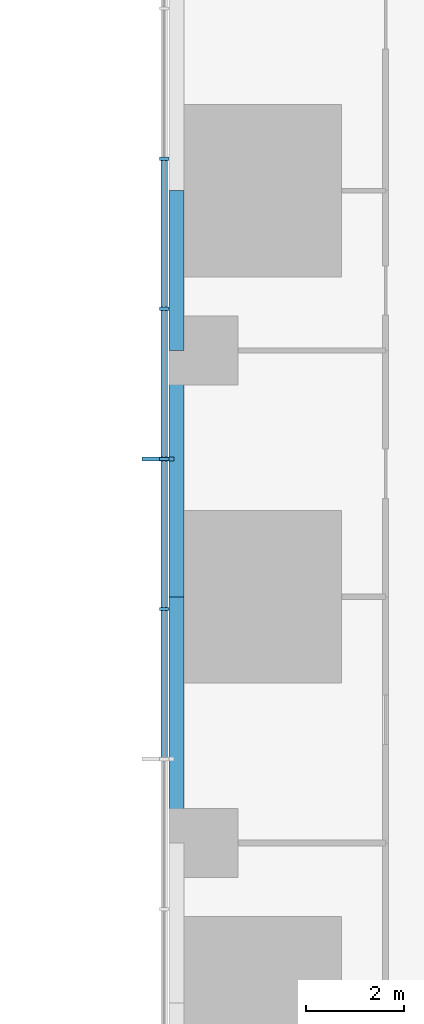
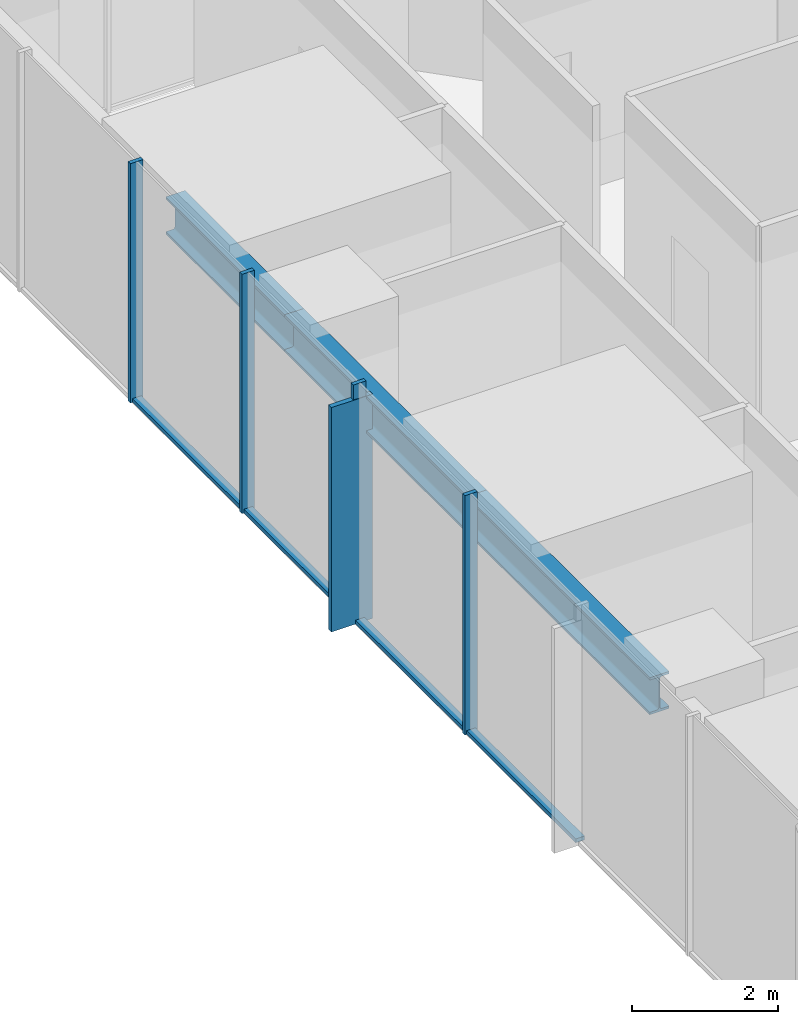
# One storey, part 3 of 18: 9 members, 3 beams, 1 element without a shape of its own.
"""IFC4 building model written with IfcOpenShell, lengths in metres."""

import ifcopenshell
import ifcopenshell.guid

model = None  # the IFC model being written
_history = None  # IfcOwnerHistory: only IFC2X3 demands one
_inside = {}  # id of a spatial element -> (the spatial element, [elements in it])
_under = {}  # id of a project, library or spatial element -> (it, [spatial elements below it])
_declared = {}  # id of a project -> (the project, [libraries it declares])
_typed = {}  # id of a type object -> (the type object, [elements of that type])
_made_of = {}  # id of a material, layer set ... -> (it, [elements and type objects made of it])


def new_model(schema):
    """Start an empty IFC model of exactly this schema.

    Asked for "IFC4X3", IfcOpenShell would pick the latest addendum, in which some entities
    have other attributes; the version numbers below select the first issue.
    IFC2X3 requires an IfcOwnerHistory on every rooted entity: one is made here for all.
    """
    global model, _history
    if schema == "IFC4X3":
        model = ifcopenshell.file(schema_version=(4, 3, 0, 0))
    else:
        model = ifcopenshell.file(schema=schema)
    _inside.clear()
    _under.clear()
    _declared.clear()
    _typed.clear()
    _made_of.clear()
    _history = None
    if model.schema == "IFC2X3":
        org = make("IfcOrganization", Name="unknown")
        user = make(
            "IfcPersonAndOrganization",
            ThePerson=make("IfcPerson", FamilyName="unknown"),
            TheOrganization=org,
        )
        app = make(
            "IfcApplication",
            ApplicationDeveloper=org,
            Version="unknown",
            ApplicationFullName="unknown",
            ApplicationIdentifier="unknown",
        )
        _history = make(
            "IfcOwnerHistory",
            OwningUser=user,
            OwningApplication=app,
            ChangeAction="ADDED",
            CreationDate=0,
        )
    return model


def make(cls, **values):
    """One entity of the class cls with the attributes given. An attribute that is None is left unset."""
    return model.create_entity(
        cls, **{name: value for name, value in values.items() if value is not None}
    )


def rooted(cls, **values):
    """An entity with a GlobalId (a new one), such as an element, a storey or a relation."""
    return make(cls, GlobalId=ifcopenshell.guid.new(), OwnerHistory=_history, **values)


def si_unit(unit_type, name, prefix=None):
    """IfcSIUnit, for example si_unit("LENGTHUNIT", "METRE", prefix="MILLI")."""
    return make("IfcSIUnit", UnitType=unit_type, Prefix=prefix, Name=name)


def assignment(units):
    """IfcUnitAssignment: the units of a project."""
    return None if units is None else make("IfcUnitAssignment", Units=units)


def point(xyz):
    """IfcCartesianPoint."""
    return None if xyz is None else make("IfcCartesianPoint", Coordinates=xyz)


def direction(xyz):
    """IfcDirection."""
    return None if xyz is None else make("IfcDirection", DirectionRatios=xyz)


def frame(location, z_axis=None, x_axis=None):
    """IfcAxis2Placement3D, a coordinate frame: its origin and axes. An axis left out is left unset."""
    return make(
        "IfcAxis2Placement3D",
        Location=point(location),
        Axis=direction(z_axis),
        RefDirection=direction(x_axis),
    )


def frame_2d(location, x_axis=None):
    """IfcAxis2Placement2D, a coordinate frame in the plane: its origin and x axis."""
    return make(
        "IfcAxis2Placement2D", Location=point(location), RefDirection=direction(x_axis)
    )


def origin():
    """The frame at (0, 0, 0) with its axes left unset."""
    return frame((0.0, 0.0, 0.0))


def origin_2d():
    """The frame at (0, 0) in the plane with its x axis left unset."""
    return frame_2d((0.0, 0.0))


def place(relative_to, where):
    """IfcLocalPlacement: puts the frame where relative to a parent placement (None: the world)."""
    return make(
        "IfcLocalPlacement", PlacementRelTo=relative_to, RelativePlacement=where
    )


def context(
    kind, dimensions, precision=None, world=None, true_north=None, identifier=None
):
    """IfcGeometricRepresentationContext, for example the 3D "Model" context."""
    return make(
        "IfcGeometricRepresentationContext",
        ContextIdentifier=identifier,
        ContextType=kind,
        CoordinateSpaceDimension=dimensions,
        Precision=precision,
        WorldCoordinateSystem=world,
        TrueNorth=true_north,
    )


def subcontext(parent, identifier, kind, view, scale=None):
    """IfcGeometricRepresentationSubContext, for example "Body" below "Model"."""
    return make(
        "IfcGeometricRepresentationSubContext",
        ContextIdentifier=identifier,
        ContextType=kind,
        ParentContext=parent,
        TargetScale=scale,
        TargetView=view,
    )


def project(units=None, contexts=None):
    """IfcProject with its units and contexts."""
    return rooted(
        "IfcProject",
        Name="project",
        RepresentationContexts=contexts,
        UnitsInContext=assignment(units),
    )


def spatial(cls, under=None, at=None, **own):
    """A site, building, storey or space (cls), placed at a placement, below another one or the project."""
    s = rooted(cls, ObjectPlacement=at, **own)
    if under is not None:
        _under.setdefault(under.id(), (under, []))[1].append(s)
    return s


def profile(cls, at=None, kind="AREA", **sizes):
    """A parametric profile (cls). Its sizes go by their IFC names, for example OverallWidth=200.0."""
    return make(cls, ProfileType=kind, Position=at, **sizes)


def rectangle(**sizes):
    """IfcRectangleProfileDef."""
    return profile("IfcRectangleProfileDef", **sizes)


def i_section(**sizes):
    """IfcIShapeProfileDef."""
    return profile("IfcIShapeProfileDef", **sizes)


def extrude(swept, where, along, depth):
    """IfcExtrudedAreaSolid: the profile swept, set in the frame where, extruded along a direction by depth."""
    return make(
        "IfcExtrudedAreaSolid",
        SweptArea=swept,
        Position=where,
        ExtrudedDirection=direction(along),
        Depth=depth,
    )


def shape(context_of_items, identifier, shape_type, items):
    """IfcShapeRepresentation: the items that make up one representation, for example the "Body"."""
    return make(
        "IfcShapeRepresentation",
        ContextOfItems=context_of_items,
        RepresentationIdentifier=identifier,
        RepresentationType=shape_type,
        Items=items,
    )


def material(Name=None, Category=None):
    """IfcMaterial."""
    return make("IfcMaterial", Name=Name, Category=Category)


def material_profile(
    of_material, cross_section, Name=None, Category=None, Priority=None
):
    """IfcMaterialProfile: a cross section and its material."""
    return make(
        "IfcMaterialProfile",
        Name=Name,
        Material=of_material,
        Profile=cross_section,
        Priority=Priority,
        Category=Category,
    )


def profile_set(profiles, Name=None, composite=None):
    """IfcMaterialProfileSet."""
    return make(
        "IfcMaterialProfileSet",
        Name=Name,
        MaterialProfiles=profiles,
        CompositeProfile=composite,
    )


def made_of(thing, what):
    """Note that an element or type object is made of a material, layer set ...; save() writes the relation."""
    if what is not None:
        _made_of.setdefault(what.id(), (what, []))[1].append(thing)
    return thing


def type_object(cls, material=None, **own):
    """A type object (cls), such as IfcWallType, which elements share."""
    return made_of(rooted(cls, **own), material)


def element(
    cls,
    number,
    at=None,
    inside=None,
    cuts=None,
    type_object=None,
    material=None,
    context=None,
    identifier="Body",
    shape_type=None,
    held_by="IfcProductDefinitionShape",
    body=None,
    shapes=None,
    **own,
):
    """One element of the class cls, such as IfcWall. Its Tag is "e" and its number.

    at: its placement. inside: the storey or other place that contains it. cuts: it is an
    opening in that element (IfcRelVoidsElement). A single representation is given by context,
    identifier, shape_type and body (its items); several are given by shapes. held_by: the class
    of the entity that holds the representations. save() writes the other relations.
    """
    e = rooted(cls, Tag="e%d" % number, ObjectPlacement=at, **own)
    if body is not None:
        shapes = [shape(context, identifier, shape_type, body)]
    if shapes is not None:
        e.Representation = make(held_by, Representations=shapes)
    if inside is not None:
        _inside.setdefault(inside.id(), (inside, []))[1].append(e)
    if cuts is not None:
        rooted(
            "IfcRelVoidsElement", RelatingBuildingElement=cuts, RelatedOpeningElement=e
        )
    if type_object is not None:
        _typed.setdefault(type_object.id(), (type_object, []))[1].append(e)
    return made_of(e, material)


def aggregate(whole, parts):
    """IfcRelAggregates: a whole, such as a stair, and the parts it consists of."""
    return rooted("IfcRelAggregates", RelatingObject=whole, RelatedObjects=parts)


def save(model, path):
    """Write the relations noted so far, then the file.

    IfcRelAggregates (storeys below a building ...), IfcRelContainedInSpatialStructure (elements
    in a storey), IfcRelDefinesByType, IfcRelAssociatesMaterial and IfcRelDeclares: one each for
    every whole, place, type object, material and project.
    """
    for whole, parts in _under.values():
        aggregate(whole, parts)
    for where, things in _inside.values():
        rooted(
            "IfcRelContainedInSpatialStructure",
            RelatedElements=things,
            RelatingStructure=where,
        )
    for kind, things in _typed.values():
        rooted("IfcRelDefinesByType", RelatedObjects=things, RelatingType=kind)
    for what, things in _made_of.values():
        rooted("IfcRelAssociatesMaterial", RelatedObjects=things, RelatingMaterial=what)
    for by, libraries in _declared.values():
        rooted("IfcRelDeclares", RelatingContext=by, RelatedDefinitions=libraries)
    model.write(path)


model = new_model("IFC4")

# Units and contexts
model_context = context("Model", 3, precision=1e-05, world=origin(), true_north=direction((0.0, 1.0)))
body_context = subcontext(model_context, "Body", "Model", "MODEL_VIEW")
ifc_project = project(units=[si_unit("LENGTHUNIT", "METRE"), si_unit("AREAUNIT", "SQUARE_METRE"), si_unit("VOLUMEUNIT", "CUBIC_METRE"), si_unit("PLANEANGLEUNIT", "RADIAN"), si_unit("MASSUNIT", "GRAM", prefix="KILO")], contexts=[model_context])

# Site, building, storey
site_placement = place(None, origin())
site = spatial("IfcSite", under=ifc_project, at=site_placement, CompositionType="ELEMENT")
building_placement = place(site_placement, origin())
building = spatial("IfcBuilding", under=site, at=building_placement, Name="Svetlomir Tower", CompositionType="ELEMENT")
storey_placement = place(building_placement, frame((0.0, 0.0, 78.5)))
storey = spatial("IfcBuildingStorey", under=building, at=storey_placement, Name="L18", CompositionType="ELEMENT", Elevation=78.5)

# Curtain wall, members
ifc_material_1 = material(Name="Bronze anodised aluminium curtain wall", Category="aluminium")
curtain_wall_type = type_object("IfcCurtainWallType", Name="CURTAIN WALL CW1 TOWER OFFICE", PredefinedType="NOTDEFINED", material=ifc_material_1)
curtain_wall_placement = place(storey_placement, origin())
curtain_wall = element("IfcCurtainWall", 1, at=curtain_wall_placement, inside=storey, type_object=curtain_wall_type, Name="Curtain wall CW1 L18", PredefinedType="NOTDEFINED")
ifc_material_2 = material(Name="Bronze anodised aluminium", Category="aluminium")
ifc_material_profile_1 = material_profile(ifc_material_2, rectangle(XDim=0.080078125, YDim=0.64990234375, at=origin_2d()), Name="FIN 80x650")
ifc_profile_set_1 = profile_set([ifc_material_profile_1], Name="Bronze anodised aluminium 6063-T6")
member_type_1 = type_object("IfcMemberType", Name="BRONZE FIN 80x650", PredefinedType="USERDEFINED", material=ifc_profile_set_1)
member_1_placement = place(storey_placement, frame((-0.22509765625, 23.800048828125, 0.0), z_axis=(0.0, 0.0, 1.0), x_axis=(0.0, 1.0, 0.0)))
member_1 = element("IfcMember", 2, at=member_1_placement, type_object=member_type_1, Name="Bronze fin L18", ObjectType="FIN", PredefinedType="USERDEFINED", context=body_context, shape_type="SweptSolid", body=[
    extrude(rectangle(XDim=0.080078125, YDim=0.64990234375, at=origin_2d()), origin(), (0.0, 0.0, 1.0), 3.75),
])
ifc_material_3 = material(Name="Bronze anodised aluminium", Category="aluminium")
ifc_material_profile_2 = material_profile(ifc_material_3, rectangle(XDim=0.06494140625, YDim=0.199951171875, at=origin_2d()), Name="AL 65x200")
ifc_profile_set_2 = profile_set([ifc_material_profile_2], Name="Bronze anodised aluminium 6063-T6")
member_type_2 = type_object("IfcMemberType", Name="CW1 MULLION 65x200", PredefinedType="MULLION", material=ifc_profile_set_2)
member_2_placement = place(storey_placement, frame((-0.10009765625, 29.89990234375, 0.0), z_axis=(0.0, 0.0, 1.0), x_axis=(0.0, -1.0, 0.0)))
member_2 = element("IfcMember", 3, at=member_2_placement, type_object=member_type_2, Name="CW1 mullion 3", PredefinedType="MULLION", context=body_context, shape_type="SweptSolid", body=[
    extrude(rectangle(XDim=0.06494140625, YDim=0.199951171875, at=origin_2d()), origin(), (0.0, 0.0, 1.0), 4.0),
])
member_3_placement = place(storey_placement, frame((-0.10009765625, 26.85009765625, 0.0), z_axis=(0.0, 0.0, 1.0), x_axis=(0.0, -1.0, 0.0)))
member_3 = element("IfcMember", 4, at=member_3_placement, type_object=member_type_2, Name="CW1 mullion 4", PredefinedType="MULLION", context=body_context, shape_type="SweptSolid", body=[
    extrude(rectangle(XDim=0.06494140625, YDim=0.199951171875, at=origin_2d()), origin(), (0.0, 0.0, 1.0), 4.0),
])
member_4_placement = place(storey_placement, frame((-0.10009765625, 23.800048828125, 0.0), z_axis=(0.0, 0.0, 1.0), x_axis=(0.0, -1.0, 0.0)))
member_4 = element("IfcMember", 5, at=member_4_placement, type_object=member_type_2, Name="CW1 mullion 5", PredefinedType="MULLION", context=body_context, shape_type="SweptSolid", body=[
    extrude(rectangle(XDim=0.06494140625, YDim=0.199951171875, at=origin_2d()), origin(), (0.0, 0.0, 1.0), 4.0),
])
member_5_placement = place(storey_placement, frame((-0.10009765625, 20.75, 0.0), z_axis=(0.0, 0.0, 1.0), x_axis=(0.0, -1.0, 0.0)))
member_5 = element("IfcMember", 6, at=member_5_placement, type_object=member_type_2, Name="CW1 mullion 6", PredefinedType="MULLION", context=body_context, shape_type="SweptSolid", body=[
    extrude(rectangle(XDim=0.06494140625, YDim=0.199951171875, at=origin_2d()), origin(), (0.0, 0.0, 1.0), 4.0),
])
ifc_material_4 = material(Name="Bronze anodised aluminium", Category="aluminium")
ifc_material_profile_3 = material_profile(ifc_material_4, rectangle(XDim=0.139892578125, YDim=0.06494140625, at=origin_2d()), Name="AL 140x65")
ifc_profile_set_3 = profile_set([ifc_material_profile_3], Name="Bronze anodised aluminium 6063-T6")
member_type_3 = type_object("IfcMemberType", Name="CW1 TRANSOM 65x140", PredefinedType="USERDEFINED", material=ifc_profile_set_3)
member_6_placement = place(storey_placement, frame((-0.10009765625, 29.867431640625, 0.032470703125), z_axis=(0.0, -1.0, 0.0), x_axis=(1.0, 0.0, 0.0)))
member_6 = element("IfcMember", 7, at=member_6_placement, type_object=member_type_3, Name="CW1 transom 3.1", ObjectType="TRANSOM", PredefinedType="USERDEFINED", context=body_context, shape_type="SweptSolid", body=[
    extrude(rectangle(XDim=0.139892578125, YDim=0.06494140625, at=origin_2d()), origin(), (0.0, 0.0, 1.0), 2.98486328125),
])
member_7_placement = place(storey_placement, frame((-0.10009765625, 26.8173828125, 0.032470703125), z_axis=(0.0, -1.0, 0.0), x_axis=(1.0, 0.0, 0.0)))
member_7 = element("IfcMember", 8, at=member_7_placement, type_object=member_type_3, Name="CW1 transom 4.1", ObjectType="TRANSOM", PredefinedType="USERDEFINED", context=body_context, shape_type="SweptSolid", body=[
    extrude(rectangle(XDim=0.139892578125, YDim=0.06494140625, at=origin_2d()), origin(), (0.0, 0.0, 1.0), 2.98486328125),
])
member_8_placement = place(storey_placement, frame((-0.10009765625, 23.767578125, 0.032470703125), z_axis=(0.0, -1.0, 0.0), x_axis=(1.0, 0.0, 0.0)))
member_8 = element("IfcMember", 9, at=member_8_placement, type_object=member_type_3, Name="CW1 transom 5.1", ObjectType="TRANSOM", PredefinedType="USERDEFINED", context=body_context, shape_type="SweptSolid", body=[
    extrude(rectangle(XDim=0.139892578125, YDim=0.06494140625, at=origin_2d()), origin(), (0.0, 0.0, 1.0), 2.985107421875),
])
member_9_placement = place(storey_placement, frame((-0.10009765625, 20.717529296875, 0.032470703125), z_axis=(0.0, -1.0, 0.0), x_axis=(1.0, 0.0, 0.0)))
member_9 = element("IfcMember", 10, at=member_9_placement, type_object=member_type_3, Name="CW1 transom 6.1", ObjectType="TRANSOM", PredefinedType="USERDEFINED", context=body_context, shape_type="SweptSolid", body=[
    extrude(rectangle(XDim=0.139892578125, YDim=0.06494140625, at=origin_2d()), origin(), (0.0, 0.0, 1.0), 2.985107421875),
])
aggregate(curtain_wall, [member_2, member_3, member_4, member_5, member_6, member_7, member_8, member_9, member_1])

# Beams
ifc_material_5 = material(Name="Steel S355", Category="steel")
ifc_material_profile_4 = material_profile(ifc_material_5, i_section(OverallWidth=0.304931640625, OverallDepth=0.6201171875, WebThickness=0.02099609375, FlangeThickness=0.0400390625, FilletRadius=0.027099609375, at=origin_2d()), Name="HEM 600")
ifc_profile_set_4 = profile_set([ifc_material_profile_4], Name="Steel S355")
beam_type = type_object("IfcBeamType", Name="EDGE BEAM HEM 600", PredefinedType="SPANDREL", material=ifc_profile_set_4)
for number, where, z_axis, x_axis, name in (
    (11, (0.152587890625, 16.0, 3.43994140625), (0.0, 1.0, 0.0), (-1.0, 0.0, 0.0), "Edge beam 0/16 to 0/21 under L19"),
    (12, (0.152587890625, 21.0, 3.43994140625), (0.0, 1.0, 0.0), (-1.0, 0.0, 0.0), "Edge beam 0/21 to 0/26 under L19"),
):
    element("IfcBeam", number, at=place(storey_placement, frame(where, z_axis=z_axis, x_axis=x_axis)), inside=storey, type_object=beam_type, Name=name, PredefinedType="SPANDREL", context=body_context, shape_type="SweptSolid", body=[
        extrude(i_section(OverallWidth=0.304931640625, OverallDepth=0.6201171875, WebThickness=0.02099609375, FlangeThickness=0.0400390625, FilletRadius=0.027099609375, at=origin_2d()), origin(), (0.0, 0.0, 1.0), 5.0),
    ])
beam_placement = place(storey_placement, frame((0.152587890625, 26.0, 3.43994140625), z_axis=(0.0, 1.0, 0.0), x_axis=(-1.0, 0.0, 0.0)))
element("IfcBeam", 13, at=beam_placement, inside=storey, type_object=beam_type, Name="Edge beam 0/26 to 0/31 under L19", PredefinedType="SPANDREL", context=body_context, shape_type="SweptSolid", body=[
    extrude(i_section(OverallWidth=0.304931640625, OverallDepth=0.6201171875, WebThickness=0.02099609375, FlangeThickness=0.0400390625, FilletRadius=0.027099609375, at=origin_2d()), origin(), (0.0, 0.0, 1.0), 3.25),
])

save(model, "model.ifc")
